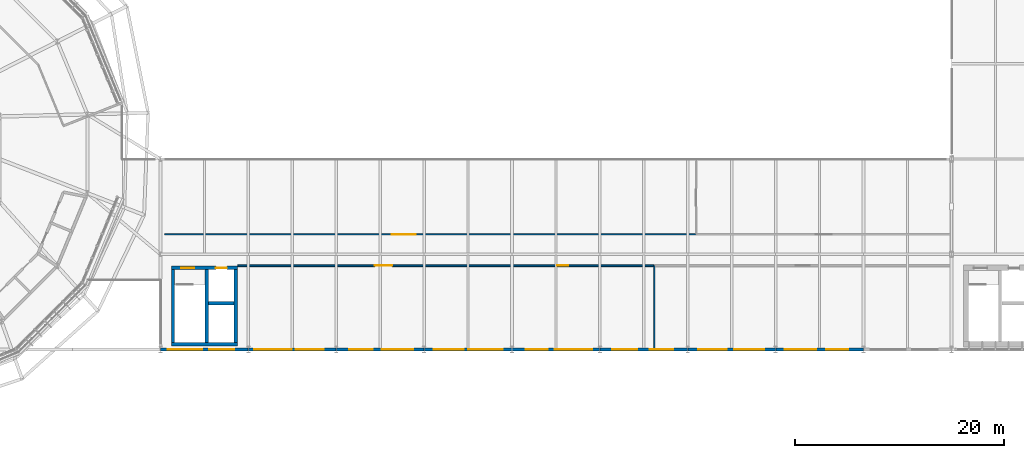
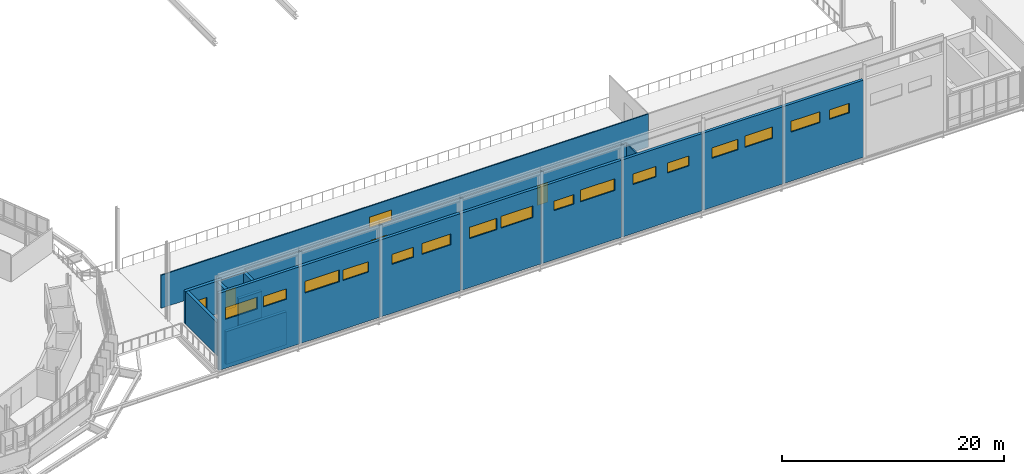
# One storey, part 50 of 61: 17 walls, 16 windows, 5 doors, 21 openings.
"""IFC4 building model written with IfcOpenShell, lengths in metres."""

from ifc_helpers import new_model, si_unit, derived_unit, direction, frame, frame_2d, origin, place, context, subcontext, project, spatial, rectangle, extrude, material, layer, layer_set, type_object, element, fill, save


model = new_model("IFC4")

# Units and contexts
model_context = context("Model", 3, precision=1e-05, world=origin(), true_north=direction((0.0, 1.0)))
body_context = subcontext(model_context, "Body", "Model", "MODEL_VIEW")
ifc_project = project(units=[si_unit("LENGTHUNIT", "METRE"), si_unit("AREAUNIT", "SQUARE_METRE"), si_unit("VOLUMEUNIT", "CUBIC_METRE"), si_unit("PLANEANGLEUNIT", "RADIAN"), si_unit("MASSUNIT", "GRAM", prefix="KILO"), derived_unit("THERMALTRANSMITTANCEUNIT", [(si_unit("MASSUNIT", "GRAM", prefix="KILO"), 1), (si_unit("TIMEUNIT", "SECOND"), -3), (si_unit("THERMODYNAMICTEMPERATUREUNIT", "KELVIN"), -1)])], contexts=[model_context])

# Site, building, storey
site_placement = place(None, origin())
site = spatial("IfcSite", under=ifc_project, at=site_placement, CompositionType="ELEMENT")
building_placement = place(site_placement, origin())
building = spatial("IfcBuilding", under=site, at=building_placement, Name="Makaiwela Harbour Ferry Terminal", CompositionType="ELEMENT")
storey_placement = place(building_placement, frame((0.0, 0.0, 13.800048828125)))
storey = spatial("IfcBuildingStorey", under=building, at=storey_placement, Name="L03", CompositionType="ELEMENT", Elevation=13.800048828125)

# Wall, openings, windows
ifc_material_1 = material(Name="Precast concrete f'c 40 MPa (6000 psi) with Hawaiian basalt rainscreen", Category="masonry")
ifc_layer_1 = layer(ifc_material_1, 0.300048828125)
ifc_layer_set_1 = layer_set([ifc_layer_1], Name="Precast concrete f'c 40 MPa (6000 psi) with Hawaiian basalt rainscreen")
wall_type_1 = type_object("IfcWallType", Name="ENV-WL-EXT300", PredefinedType="SOLIDWALL", material=ifc_layer_set_1)
wall_1_placement = place(storey_placement, frame((71.385009765625, 49.39990234375, 0.0), z_axis=(0.0, 0.0, 1.0), x_axis=(-1.0, 0.0, 0.0)))
wall_1 = element("IfcWall", 1, at=wall_1_placement, inside=storey, type_object=wall_type_1, Name="Exterior Wall EW-002", PredefinedType="SOLIDWALL", context=body_context, shape_type="SweptSolid", body=[
    extrude(rectangle(XDim=8.3701171875, YDim=0.300048828125, at=frame_2d((4.18505859375, 0.0))), origin(), (0.0, 0.0, 1.0), 8.5),
])
opening_1_placement = place(wall_1_placement, frame((1.31103515625, 0.0, 5.39990234375)))
opening_1 = element("IfcOpeningElement", 2, at=opening_1_placement, cuts=wall_1, Name="Opening SK-02", PredefinedType="OPENING", context=body_context, shape_type="SweptSolid", body=[
    extrude(rectangle(XDim=2.39990234375, YDim=1.14990234375, at=frame_2d((1.199951171875, 0.574951171875))), frame((0.0, 0.159912109375, 0.0), z_axis=(0.0, -1.0, 0.0), x_axis=(1.0, 0.0, 0.0)), (0.0, 0.0, 1.0), 0.320068359375),
])
opening_2_placement = place(wall_1_placement, frame((4.37646484375, 0.0, 5.39990234375)))
opening_2 = element("IfcOpeningElement", 3, at=opening_2_placement, cuts=wall_1, Name="Opening SK-05", PredefinedType="OPENING", context=body_context, shape_type="SweptSolid", body=[
    extrude(rectangle(XDim=3.300048828125, YDim=1.300048828125, at=frame_2d((1.64990234375, 0.64990234375))), frame((0.0, 0.159912109375, 0.0), z_axis=(0.0, -1.0, 0.0), x_axis=(1.0, 0.0, 0.0)), (0.0, 0.0, 1.0), 0.320068359375),
])
ifc_material_2 = material(Name="Laminated hurricane-impact low-E insulated glazing", Category="glass")
window_type_1 = type_object("IfcWindowType", Name="ENV-SKY-02", PartitioningType="SINGLE_PANEL", PredefinedType="SKYLIGHT", material=ifc_material_2)
window_1_placement = place(opening_1_placement, origin())
window_1 = element("IfcWindow", 4, at=window_1_placement, inside=storey, type_object=window_type_1, Name="Exterior Window SK-02", OverallHeight=1.14990234375, OverallWidth=2.39990234375, PartitioningType="SINGLE_PANEL", PredefinedType="SKYLIGHT", context=body_context, shape_type="SweptSolid", body=[
    extrude(rectangle(XDim=2.39990234375, YDim=1.14990234375, at=frame_2d((1.199951171875, 0.574951171875))), frame((0.0, 0.030029296875, 0.0), z_axis=(0.0, -1.0, 0.0), x_axis=(1.0, 0.0, 0.0)), (0.0, 0.0, 1.0), 0.06005859375),
])
fill(opening_1, window_1)
window_type_2 = type_object("IfcWindowType", Name="ENV-SKY-05", PartitioningType="SINGLE_PANEL", PredefinedType="SKYLIGHT", material=ifc_material_2)
window_2_placement = place(opening_2_placement, origin())
window_2 = element("IfcWindow", 5, at=window_2_placement, inside=storey, type_object=window_type_2, Name="Exterior Window SK-05", OverallHeight=1.300048828125, OverallWidth=3.300048828125, PartitioningType="SINGLE_PANEL", PredefinedType="SKYLIGHT", context=body_context, shape_type="SweptSolid", body=[
    extrude(rectangle(XDim=3.300048828125, YDim=1.300048828125, at=frame_2d((1.64990234375, 0.64990234375))), frame((0.0, 0.030029296875, 0.0), z_axis=(0.0, -1.0, 0.0), x_axis=(1.0, 0.0, 0.0)), (0.0, 0.0, 1.0), 0.06005859375),
])
fill(opening_2, window_2)

wall_2_placement = place(storey_placement, frame((79.784912109375, 49.39990234375, 0.0), z_axis=(0.0, 0.0, 1.0), x_axis=(-1.0, 0.0, 0.0)))
wall_2 = element("IfcWall", 6, at=wall_2_placement, inside=storey, type_object=wall_type_1, Name="Exterior Wall EW-005", PredefinedType="SOLIDWALL", context=body_context, shape_type="SweptSolid", body=[
    extrude(rectangle(XDim=8.369873046875, YDim=0.300048828125, at=frame_2d((4.18505859375, 0.0))), origin(), (0.0, 0.0, 1.0), 8.5),
])
opening_3_placement = place(wall_2_placement, frame((1.160888671875, 0.0, 5.39990234375)))
opening_3 = element("IfcOpeningElement", 7, at=opening_3_placement, cuts=wall_2, Name="Opening SK-03", PredefinedType="OPENING", context=body_context, shape_type="SweptSolid", body=[
    extrude(rectangle(XDim=2.699951171875, YDim=1.14990234375, at=frame_2d((1.35009765625, 0.574951171875))), frame((0.0, 0.159912109375, 0.0), z_axis=(0.0, -1.0, 0.0), x_axis=(1.0, 0.0, 0.0)), (0.0, 0.0, 1.0), 0.320068359375),
])
opening_4_placement = place(wall_2_placement, frame((4.226318359375, 0.0, 5.39990234375)))
opening_4 = element("IfcOpeningElement", 8, at=opening_4_placement, cuts=wall_2, Name="Opening SK-06", PredefinedType="OPENING", context=body_context, shape_type="SweptSolid", body=[
    extrude(rectangle(XDim=3.60009765625, YDim=1.300048828125, at=frame_2d((1.800048828125, 0.64990234375))), frame((0.0, 0.159912109375, 0.0), z_axis=(0.0, -1.0, 0.0), x_axis=(1.0, 0.0, 0.0)), (0.0, 0.0, 1.0), 0.320068359375),
])
window_type_3 = type_object("IfcWindowType", Name="ENV-SKY-03", PartitioningType="SINGLE_PANEL", PredefinedType="SKYLIGHT", material=ifc_material_2)
window_3_placement = place(opening_3_placement, origin())
window_3 = element("IfcWindow", 9, at=window_3_placement, inside=storey, type_object=window_type_3, Name="Exterior Window SK-03", OverallHeight=1.14990234375, OverallWidth=2.699951171875, PartitioningType="SINGLE_PANEL", PredefinedType="SKYLIGHT", context=body_context, shape_type="SweptSolid", body=[
    extrude(rectangle(XDim=2.699951171875, YDim=1.14990234375, at=frame_2d((1.35009765625, 0.574951171875))), frame((0.0, 0.030029296875, 0.0), z_axis=(0.0, -1.0, 0.0), x_axis=(1.0, 0.0, 0.0)), (0.0, 0.0, 1.0), 0.06005859375),
])
fill(opening_3, window_3)
window_type_4 = type_object("IfcWindowType", Name="ENV-SKY-06", PartitioningType="SINGLE_PANEL", PredefinedType="SKYLIGHT", material=ifc_material_2)
window_4_placement = place(opening_4_placement, origin())
window_4 = element("IfcWindow", 10, at=window_4_placement, inside=storey, type_object=window_type_4, Name="Exterior Window SK-06", OverallHeight=1.300048828125, OverallWidth=3.60009765625, PartitioningType="SINGLE_PANEL", PredefinedType="SKYLIGHT", context=body_context, shape_type="SweptSolid", body=[
    extrude(rectangle(XDim=3.60009765625, YDim=1.300048828125, at=frame_2d((1.800048828125, 0.64990234375))), frame((0.0, 0.030029296875, 0.0), z_axis=(0.0, -1.0, 0.0), x_axis=(1.0, 0.0, 0.0)), (0.0, 0.0, 1.0), 0.06005859375),
])
fill(opening_4, window_4)

wall_3_placement = place(storey_placement, frame((88.18505859375, 49.39990234375, 0.0), z_axis=(0.0, 0.0, 1.0), x_axis=(-1.0, 0.0, 0.0)))
wall_3 = element("IfcWall", 11, at=wall_3_placement, inside=storey, type_object=wall_type_1, Name="Exterior Wall EW-006", PredefinedType="SOLIDWALL", context=body_context, shape_type="SweptSolid", body=[
    extrude(rectangle(XDim=8.3701171875, YDim=0.300048828125, at=frame_2d((4.18505859375, 0.0))), origin(), (0.0, 0.0, 1.0), 8.5),
])
opening_5_placement = place(wall_3_placement, frame((1.010986328125, 0.0, 5.39990234375)))
opening_5 = element("IfcOpeningElement", 12, at=opening_5_placement, cuts=wall_3, Name="Opening SK-04", PredefinedType="OPENING", context=body_context, shape_type="SweptSolid", body=[
    extrude(rectangle(XDim=3.0, YDim=1.199951171875, at=frame_2d((1.5, 0.60009765625))), frame((0.0, 0.159912109375, 0.0), z_axis=(0.0, -1.0, 0.0), x_axis=(1.0, 0.0, 0.0)), (0.0, 0.0, 1.0), 0.320068359375),
])
opening_6_placement = place(wall_3_placement, frame((4.9013671875, 0.0, 5.39990234375)))
opening_6 = element("IfcOpeningElement", 13, at=opening_6_placement, cuts=wall_3, Name="Opening SK-07", PredefinedType="OPENING", context=body_context, shape_type="SweptSolid", body=[
    extrude(rectangle(XDim=2.25, YDim=1.10009765625, at=frame_2d((1.125, 0.550048828125))), frame((0.0, 0.159912109375, 0.0), z_axis=(0.0, -1.0, 0.0), x_axis=(1.0, 0.0, 0.0)), (0.0, 0.0, 1.0), 0.320068359375),
])
window_type_5 = type_object("IfcWindowType", Name="ENV-SKY-04", PartitioningType="SINGLE_PANEL", PredefinedType="SKYLIGHT", material=ifc_material_2)
window_5_placement = place(opening_5_placement, origin())
window_5 = element("IfcWindow", 14, at=window_5_placement, inside=storey, type_object=window_type_5, Name="Exterior Window SK-04", OverallHeight=1.199951171875, OverallWidth=3.0, PartitioningType="SINGLE_PANEL", PredefinedType="SKYLIGHT", context=body_context, shape_type="SweptSolid", body=[
    extrude(rectangle(XDim=3.0, YDim=1.199951171875, at=frame_2d((1.5, 0.60009765625))), frame((0.0, 0.030029296875, 0.0), z_axis=(0.0, -1.0, 0.0), x_axis=(1.0, 0.0, 0.0)), (0.0, 0.0, 1.0), 0.06005859375),
])
fill(opening_5, window_5)
window_type_6 = type_object("IfcWindowType", Name="ENV-SKY-07", PartitioningType="SINGLE_PANEL", PredefinedType="SKYLIGHT", material=ifc_material_2)
window_6_placement = place(opening_6_placement, origin())
window_6 = element("IfcWindow", 15, at=window_6_placement, inside=storey, type_object=window_type_6, Name="Exterior Window SK-07", OverallHeight=1.10009765625, OverallWidth=2.25, PartitioningType="SINGLE_PANEL", PredefinedType="SKYLIGHT", context=body_context, shape_type="SweptSolid", body=[
    extrude(rectangle(XDim=2.25, YDim=1.10009765625, at=frame_2d((1.125, 0.550048828125))), frame((0.0, 0.030029296875, 0.0), z_axis=(0.0, -1.0, 0.0), x_axis=(1.0, 0.0, 0.0)), (0.0, 0.0, 1.0), 0.06005859375),
])
fill(opening_6, window_6)

wall_4_placement = place(storey_placement, frame((96.5849609375, 49.39990234375, 0.0), z_axis=(0.0, 0.0, 1.0), x_axis=(-1.0, 0.0, 0.0)))
wall_4 = element("IfcWall", 16, at=wall_4_placement, inside=storey, type_object=wall_type_1, Name="Exterior Wall EW-008", PredefinedType="SOLIDWALL", context=body_context, shape_type="SweptSolid", body=[
    extrude(rectangle(XDim=8.369873046875, YDim=0.300048828125, at=frame_2d((4.18505859375, 0.0))), origin(), (0.0, 0.0, 1.0), 8.5),
])
opening_7_placement = place(wall_4_placement, frame((0.861083984375, 0.0, 5.39990234375)))
opening_7 = element("IfcOpeningElement", 17, at=opening_7_placement, cuts=wall_4, Name="Opening SK-05", PredefinedType="OPENING", context=body_context, shape_type="SweptSolid", body=[
    extrude(rectangle(XDim=3.300048828125, YDim=1.300048828125, at=frame_2d((1.64990234375, 0.64990234375))), frame((0.0, 0.159912109375, 0.0), z_axis=(0.0, -1.0, 0.0), x_axis=(1.0, 0.0, 0.0)), (0.0, 0.0, 1.0), 0.320068359375),
])
opening_8_placement = place(wall_4_placement, frame((4.601318359375, 0.0, 5.39990234375)))
opening_8 = element("IfcOpeningElement", 18, at=opening_8_placement, cuts=wall_4, Name="Opening SK-08", PredefinedType="OPENING", context=body_context, shape_type="SweptSolid", body=[
    extrude(rectangle(XDim=2.85009765625, YDim=1.25, at=frame_2d((1.425048828125, 0.625))), frame((0.0, 0.159912109375, 0.0), z_axis=(0.0, -1.0, 0.0), x_axis=(1.0, 0.0, 0.0)), (0.0, 0.0, 1.0), 0.320068359375),
])
window_7_placement = place(opening_7_placement, origin())
window_7 = element("IfcWindow", 19, at=window_7_placement, inside=storey, type_object=window_type_2, Name="Exterior Window SK-05", OverallHeight=1.300048828125, OverallWidth=3.300048828125, PartitioningType="SINGLE_PANEL", PredefinedType="SKYLIGHT", context=body_context, shape_type="SweptSolid", body=[
    extrude(rectangle(XDim=3.300048828125, YDim=1.300048828125, at=frame_2d((1.64990234375, 0.64990234375))), frame((0.0, 0.030029296875, 0.0), z_axis=(0.0, -1.0, 0.0), x_axis=(1.0, 0.0, 0.0)), (0.0, 0.0, 1.0), 0.06005859375),
])
fill(opening_7, window_7)
window_type_7 = type_object("IfcWindowType", Name="ENV-SKY-08", PartitioningType="SINGLE_PANEL", PredefinedType="SKYLIGHT", material=ifc_material_2)
window_8_placement = place(opening_8_placement, origin())
window_8 = element("IfcWindow", 20, at=window_8_placement, inside=storey, type_object=window_type_7, Name="Exterior Window SK-08", OverallHeight=1.25, OverallWidth=2.85009765625, PartitioningType="SINGLE_PANEL", PredefinedType="SKYLIGHT", context=body_context, shape_type="SweptSolid", body=[
    extrude(rectangle(XDim=2.85009765625, YDim=1.25, at=frame_2d((1.425048828125, 0.625))), frame((0.0, 0.030029296875, 0.0), z_axis=(0.0, -1.0, 0.0), x_axis=(1.0, 0.0, 0.0)), (0.0, 0.0, 1.0), 0.06005859375),
])
fill(opening_8, window_8)

wall_5_placement = place(storey_placement, frame((104.985107421875, 49.39990234375, 0.0), z_axis=(0.0, 0.0, 1.0), x_axis=(-1.0, 0.0, 0.0)))
wall_5 = element("IfcWall", 21, at=wall_5_placement, inside=storey, type_object=wall_type_1, Name="Exterior Wall EW-010", PredefinedType="SOLIDWALL", context=body_context, shape_type="SweptSolid", body=[
    extrude(rectangle(XDim=8.3701171875, YDim=0.300048828125, at=frame_2d((4.18505859375, 0.0))), origin(), (0.0, 0.0, 1.0), 8.5),
])
opening_9_placement = place(wall_5_placement, frame((0.7109375, 0.0, 5.39990234375)))
opening_9 = element("IfcOpeningElement", 22, at=opening_9_placement, cuts=wall_5, Name="Opening SK-06", PredefinedType="OPENING", context=body_context, shape_type="SweptSolid", body=[
    extrude(rectangle(XDim=3.60009765625, YDim=1.300048828125, at=frame_2d((1.800048828125, 0.64990234375))), frame((0.0, 0.159912109375, 0.0), z_axis=(0.0, -1.0, 0.0), x_axis=(1.0, 0.0, 0.0)), (0.0, 0.0, 1.0), 0.320068359375),
])
opening_10_placement = place(wall_5_placement, frame((4.976318359375, 0.0, 5.39990234375)))
opening_10 = element("IfcOpeningElement", 23, at=opening_10_placement, cuts=wall_5, Name="Opening SK-01", PredefinedType="OPENING", context=body_context, shape_type="SweptSolid", body=[
    extrude(rectangle(XDim=2.10009765625, YDim=1.050048828125, at=frame_2d((1.050048828125, 0.52490234375))), frame((0.0, 0.159912109375, 0.0), z_axis=(0.0, -1.0, 0.0), x_axis=(1.0, 0.0, 0.0)), (0.0, 0.0, 1.0), 0.320068359375),
])
window_type_8 = type_object("IfcWindowType", Name="ENV-SKY-01", PartitioningType="SINGLE_PANEL", PredefinedType="SKYLIGHT", material=ifc_material_2)
window_9_placement = place(opening_10_placement, origin())
window_9 = element("IfcWindow", 24, at=window_9_placement, inside=storey, type_object=window_type_8, Name="Exterior Window SK-01", OverallHeight=1.050048828125, OverallWidth=2.10009765625, PartitioningType="SINGLE_PANEL", PredefinedType="SKYLIGHT", context=body_context, shape_type="SweptSolid", body=[
    extrude(rectangle(XDim=2.10009765625, YDim=1.050048828125, at=frame_2d((1.050048828125, 0.52490234375))), frame((0.0, 0.030029296875, 0.0), z_axis=(0.0, -1.0, 0.0), x_axis=(1.0, 0.0, 0.0)), (0.0, 0.0, 1.0), 0.06005859375),
])
fill(opening_10, window_9)
window_10_placement = place(opening_9_placement, origin())
window_10 = element("IfcWindow", 25, at=window_10_placement, inside=storey, type_object=window_type_4, Name="Exterior Window SK-06", OverallHeight=1.300048828125, OverallWidth=3.60009765625, PartitioningType="SINGLE_PANEL", PredefinedType="SKYLIGHT", context=body_context, shape_type="SweptSolid", body=[
    extrude(rectangle(XDim=3.60009765625, YDim=1.300048828125, at=frame_2d((1.800048828125, 0.64990234375))), frame((0.0, 0.030029296875, 0.0), z_axis=(0.0, -1.0, 0.0), x_axis=(1.0, 0.0, 0.0)), (0.0, 0.0, 1.0), 0.06005859375),
])
fill(opening_9, window_10)

wall_6_placement = place(storey_placement, frame((113.385009765625, 49.39990234375, 0.0), z_axis=(0.0, 0.0, 1.0), x_axis=(-1.0, 0.0, 0.0)))
wall_6 = element("IfcWall", 26, at=wall_6_placement, inside=storey, type_object=wall_type_1, Name="Exterior Wall EW-012", PredefinedType="SOLIDWALL", context=body_context, shape_type="SweptSolid", body=[
    extrude(rectangle(XDim=8.3701171875, YDim=0.300048828125, at=frame_2d((4.18505859375, 0.0))), origin(), (0.0, 0.0, 1.0), 8.5),
])
opening_11_placement = place(wall_6_placement, frame((1.385986328125, 0.0, 5.39990234375)))
opening_11 = element("IfcOpeningElement", 27, at=opening_11_placement, cuts=wall_6, Name="Opening SK-07", PredefinedType="OPENING", context=body_context, shape_type="SweptSolid", body=[
    extrude(rectangle(XDim=2.25, YDim=1.10009765625, at=frame_2d((1.125, 0.550048828125))), frame((0.0, 0.159912109375, 0.0), z_axis=(0.0, -1.0, 0.0), x_axis=(1.0, 0.0, 0.0)), (0.0, 0.0, 1.0), 0.320068359375),
])
opening_12_placement = place(wall_6_placement, frame((4.826416015625, 0.0, 5.39990234375)))
opening_12 = element("IfcOpeningElement", 28, at=opening_12_placement, cuts=wall_6, Name="Opening SK-02", PredefinedType="OPENING", context=body_context, shape_type="SweptSolid", body=[
    extrude(rectangle(XDim=2.39990234375, YDim=1.14990234375, at=frame_2d((1.199951171875, 0.574951171875))), frame((0.0, 0.159912109375, 0.0), z_axis=(0.0, -1.0, 0.0), x_axis=(1.0, 0.0, 0.0)), (0.0, 0.0, 1.0), 0.320068359375),
])
window_11_placement = place(opening_12_placement, origin())
window_11 = element("IfcWindow", 29, at=window_11_placement, inside=storey, type_object=window_type_1, Name="Exterior Window SK-02", OverallHeight=1.14990234375, OverallWidth=2.39990234375, PartitioningType="SINGLE_PANEL", PredefinedType="SKYLIGHT", context=body_context, shape_type="SweptSolid", body=[
    extrude(rectangle(XDim=2.39990234375, YDim=1.14990234375, at=frame_2d((1.199951171875, 0.574951171875))), frame((0.0, 0.030029296875, 0.0), z_axis=(0.0, -1.0, 0.0), x_axis=(1.0, 0.0, 0.0)), (0.0, 0.0, 1.0), 0.06005859375),
])
fill(opening_12, window_11)
window_12_placement = place(opening_11_placement, origin())
window_12 = element("IfcWindow", 30, at=window_12_placement, inside=storey, type_object=window_type_6, Name="Exterior Window SK-07", OverallHeight=1.10009765625, OverallWidth=2.25, PartitioningType="SINGLE_PANEL", PredefinedType="SKYLIGHT", context=body_context, shape_type="SweptSolid", body=[
    extrude(rectangle(XDim=2.25, YDim=1.10009765625, at=frame_2d((1.125, 0.550048828125))), frame((0.0, 0.030029296875, 0.0), z_axis=(0.0, -1.0, 0.0), x_axis=(1.0, 0.0, 0.0)), (0.0, 0.0, 1.0), 0.06005859375),
])
fill(opening_11, window_12)

wall_7_placement = place(storey_placement, frame((121.784912109375, 49.39990234375, 0.0), z_axis=(0.0, 0.0, 1.0), x_axis=(-1.0, 0.0, 0.0)))
wall_7 = element("IfcWall", 31, at=wall_7_placement, inside=storey, type_object=wall_type_1, Name="Exterior Wall EW-014", PredefinedType="SOLIDWALL", context=body_context, shape_type="SweptSolid", body=[
    extrude(rectangle(XDim=8.369873046875, YDim=0.300048828125, at=frame_2d((4.18505859375, 0.0))), origin(), (0.0, 0.0, 1.0), 8.5),
])
opening_13_placement = place(wall_7_placement, frame((1.0859375, 0.0, 5.39990234375)))
opening_13 = element("IfcOpeningElement", 32, at=opening_13_placement, cuts=wall_7, Name="Opening SK-08", PredefinedType="OPENING", context=body_context, shape_type="SweptSolid", body=[
    extrude(rectangle(XDim=2.85009765625, YDim=1.25, at=frame_2d((1.425048828125, 0.625))), frame((0.0, 0.159912109375, 0.0), z_axis=(0.0, -1.0, 0.0), x_axis=(1.0, 0.0, 0.0)), (0.0, 0.0, 1.0), 0.320068359375),
])
opening_14_placement = place(wall_7_placement, frame((4.676513671875, 0.0, 5.39990234375)))
opening_14 = element("IfcOpeningElement", 33, at=opening_14_placement, cuts=wall_7, Name="Opening SK-03", PredefinedType="OPENING", context=body_context, shape_type="SweptSolid", body=[
    extrude(rectangle(XDim=2.699951171875, YDim=1.14990234375, at=frame_2d((1.35009765625, 0.574951171875))), frame((0.0, 0.159912109375, 0.0), z_axis=(0.0, -1.0, 0.0), x_axis=(1.0, 0.0, 0.0)), (0.0, 0.0, 1.0), 0.320068359375),
])
window_13_placement = place(opening_14_placement, origin())
window_13 = element("IfcWindow", 34, at=window_13_placement, inside=storey, type_object=window_type_3, Name="Exterior Window SK-03", OverallHeight=1.14990234375, OverallWidth=2.699951171875, PartitioningType="SINGLE_PANEL", PredefinedType="SKYLIGHT", context=body_context, shape_type="SweptSolid", body=[
    extrude(rectangle(XDim=2.699951171875, YDim=1.14990234375, at=frame_2d((1.35009765625, 0.574951171875))), frame((0.0, 0.030029296875, 0.0), z_axis=(0.0, -1.0, 0.0), x_axis=(1.0, 0.0, 0.0)), (0.0, 0.0, 1.0), 0.06005859375),
])
fill(opening_14, window_13)
window_14_placement = place(opening_13_placement, origin())
window_14 = element("IfcWindow", 35, at=window_14_placement, inside=storey, type_object=window_type_7, Name="Exterior Window SK-08", OverallHeight=1.25, OverallWidth=2.85009765625, PartitioningType="SINGLE_PANEL", PredefinedType="SKYLIGHT", context=body_context, shape_type="SweptSolid", body=[
    extrude(rectangle(XDim=2.85009765625, YDim=1.25, at=frame_2d((1.425048828125, 0.625))), frame((0.0, 0.030029296875, 0.0), z_axis=(0.0, -1.0, 0.0), x_axis=(1.0, 0.0, 0.0)), (0.0, 0.0, 1.0), 0.06005859375),
])
fill(opening_13, window_14)

wall_8_placement = place(storey_placement, frame((130.18505859375, 49.39990234375, 0.0), z_axis=(0.0, 0.0, 1.0), x_axis=(-1.0, 0.0, 0.0)))
wall_8 = element("IfcWall", 36, at=wall_8_placement, inside=storey, type_object=wall_type_1, Name="Exterior Wall EW-015", PredefinedType="SOLIDWALL", context=body_context, shape_type="SweptSolid", body=[
    extrude(rectangle(XDim=8.3701171875, YDim=0.300048828125, at=frame_2d((4.18505859375, 0.0))), origin(), (0.0, 0.0, 1.0), 8.5),
])
opening_15_placement = place(wall_8_placement, frame((1.4609375, 0.0, 5.39990234375)))
opening_15 = element("IfcOpeningElement", 37, at=opening_15_placement, cuts=wall_8, Name="Opening SK-01", PredefinedType="OPENING", context=body_context, shape_type="SweptSolid", body=[
    extrude(rectangle(XDim=2.10009765625, YDim=1.050048828125, at=frame_2d((1.050048828125, 0.52490234375))), frame((0.0, 0.159912109375, 0.0), z_axis=(0.0, -1.0, 0.0), x_axis=(1.0, 0.0, 0.0)), (0.0, 0.0, 1.0), 0.320068359375),
])
opening_16_placement = place(wall_8_placement, frame((4.5263671875, 0.0, 5.39990234375)))
opening_16 = element("IfcOpeningElement", 38, at=opening_16_placement, cuts=wall_8, Name="Opening SK-04", PredefinedType="OPENING", context=body_context, shape_type="SweptSolid", body=[
    extrude(rectangle(XDim=3.0, YDim=1.199951171875, at=frame_2d((1.5, 0.60009765625))), frame((0.0, 0.159912109375, 0.0), z_axis=(0.0, -1.0, 0.0), x_axis=(1.0, 0.0, 0.0)), (0.0, 0.0, 1.0), 0.320068359375),
])
window_15_placement = place(opening_15_placement, origin())
window_15 = element("IfcWindow", 39, at=window_15_placement, inside=storey, type_object=window_type_8, Name="Exterior Window SK-01", OverallHeight=1.050048828125, OverallWidth=2.10009765625, PartitioningType="SINGLE_PANEL", PredefinedType="SKYLIGHT", context=body_context, shape_type="SweptSolid", body=[
    extrude(rectangle(XDim=2.10009765625, YDim=1.050048828125, at=frame_2d((1.050048828125, 0.52490234375))), frame((0.0, 0.030029296875, 0.0), z_axis=(0.0, -1.0, 0.0), x_axis=(1.0, 0.0, 0.0)), (0.0, 0.0, 1.0), 0.06005859375),
])
fill(opening_15, window_15)
window_16_placement = place(opening_16_placement, origin())
window_16 = element("IfcWindow", 40, at=window_16_placement, inside=storey, type_object=window_type_5, Name="Exterior Window SK-04", OverallHeight=1.199951171875, OverallWidth=3.0, PartitioningType="SINGLE_PANEL", PredefinedType="SKYLIGHT", context=body_context, shape_type="SweptSolid", body=[
    extrude(rectangle(XDim=3.0, YDim=1.199951171875, at=frame_2d((1.5, 0.60009765625))), frame((0.0, 0.030029296875, 0.0), z_axis=(0.0, -1.0, 0.0), x_axis=(1.0, 0.0, 0.0)), (0.0, 0.0, 1.0), 0.06005859375),
])
fill(opening_16, window_16)

# Wall
ifc_material_3 = material(Name="Moisture-resistant acoustic gypsum partition", Category="gypsum")
ifc_layer_2 = layer(ifc_material_3, 0.1201171875)
ifc_layer_set_2 = layer_set([ifc_layer_2], Name="Moisture-resistant acoustic gypsum partition")
wall_type_2 = type_object("IfcWallType", Name="INT-WL-PRT120", PredefinedType="PARTITIONING", material=ifc_layer_set_2)
wall_9_placement = place(storey_placement, frame((110.199951171875, 49.419921875, 0.0), z_axis=(0.0, 0.0, 1.0), x_axis=(0.0, 1.0, 0.0)))
element("IfcWall", 41, at=wall_9_placement, inside=storey, type_object=wall_type_2, Name="Interior Wall IW-0561", PredefinedType="PARTITIONING", context=body_context, shape_type="SweptSolid", body=[
    extrude(rectangle(XDim=7.97998046875, YDim=0.1201171875, at=frame_2d((3.989990234375, 0.0))), origin(), (0.0, 0.0, 1.0), 3.639892578125),
])

# Wall, opening, door
wall_10_placement = place(storey_placement, frame((63.39990234375, 60.39990234375, 0.0), z_axis=(0.0, 0.0, 1.0), x_axis=(1.0, 0.0, 0.0)))
wall_10 = element("IfcWall", 42, at=wall_10_placement, inside=storey, type_object=wall_type_2, Name="Interior Wall IW-0562", PredefinedType="PARTITIONING", context=body_context, shape_type="SweptSolid", body=[
    extrude(rectangle(XDim=50.800048828125, YDim=0.1201171875, at=frame_2d((25.39990234375, 0.0))), origin(), (0.0, 0.0, 1.0), 3.639892578125),
])
opening_17_placement = place(wall_10_placement, frame((21.7099609375, 0.0, 0.0)))
opening_17 = element("IfcOpeningElement", 43, at=opening_17_placement, cuts=wall_10, Name="Opening D-23", PredefinedType="OPENING", context=body_context, shape_type="SweptSolid", body=[
    extrude(rectangle(XDim=2.300048828125, YDim=2.449951171875, at=frame_2d((1.14990234375, 1.22509765625))), frame((0.0, 0.070068359375, 0.0), z_axis=(0.0, -1.0, 0.0), x_axis=(1.0, 0.0, 0.0)), (0.0, 0.0, 1.0), 0.14013671875),
])
ifc_material_4 = material(Name="Solid-core marine hardwood and painted steel frame", Category="steel")
door_type_1 = type_object("IfcDoorType", Name="INT-DR-CON230", OperationType="NOTDEFINED", PredefinedType="DOOR", material=ifc_material_4)
door_1_placement = place(opening_17_placement, frame((2.300048828125, 0.0, 0.0), z_axis=(0.0, 0.0, 1.0), x_axis=(-1.0, 0.0, 0.0)))
door_1 = element("IfcDoor", 44, at=door_1_placement, inside=storey, type_object=door_type_1, Name="Door D-23", OperationType="DOUBLE_DOOR_SINGLE_SWING", OverallHeight=2.449951171875, OverallWidth=2.300048828125, PredefinedType="DOOR", context=body_context, shape_type="SweptSolid", body=[
    extrude(rectangle(XDim=2.300048828125, YDim=2.449951171875, at=frame_2d((1.14990234375, 1.22509765625))), frame((0.0, 0.02490234375, 0.0), z_axis=(0.0, -1.0, 0.0), x_axis=(1.0, 0.0, 0.0)), (0.0, 0.0, 1.0), 0.050048828125),
])
fill(opening_17, door_1)

# Wall, openings, doors
ifc_layer_3 = layer(ifc_material_3, 0.14990234375)
ifc_layer_set_3 = layer_set([ifc_layer_3], Name="Moisture-resistant acoustic gypsum partition")
wall_type_3 = type_object("IfcWallType", Name="INT-WL-PRT150", PredefinedType="PARTITIONING", material=ifc_layer_set_3)
wall_11_placement = place(storey_placement, frame((70.39990234375, 57.39990234375, 0.0), z_axis=(0.0, 0.0, 1.0), x_axis=(1.0, 0.0, 0.0)))
wall_11 = element("IfcWall", 45, at=wall_11_placement, inside=storey, type_object=wall_type_3, Name="Interior Wall IW-0559", PredefinedType="PARTITIONING", context=body_context, shape_type="SweptSolid", body=[
    extrude(rectangle(XDim=39.800048828125, YDim=0.14990234375, at=frame_2d((19.89990234375, 0.0))), origin(), (0.0, 0.0, 1.0), 3.639892578125),
])
opening_18_placement = place(wall_11_placement, frame((13.10498046875, 0.0, 0.0)))
opening_18 = element("IfcOpeningElement", 46, at=opening_18_placement, cuts=wall_11, Name="Opening D-17", PredefinedType="OPENING", context=body_context, shape_type="SweptSolid", body=[
    extrude(rectangle(XDim=1.64990234375, YDim=2.300048828125, at=frame_2d((0.824951171875, 1.14990234375))), frame((0.0, 0.0849609375, 0.0), z_axis=(0.0, -1.0, 0.0), x_axis=(1.0, 0.0, 0.0)), (0.0, 0.0, 1.0), 0.169921875),
])
opening_19_placement = place(wall_11_placement, frame((30.50390625, 0.0, 0.0)))
opening_19 = element("IfcOpeningElement", 47, at=opening_19_placement, cuts=wall_11, Name="Opening D-14", PredefinedType="OPENING", context=body_context, shape_type="SweptSolid", body=[
    extrude(rectangle(XDim=1.080078125, YDim=2.199951171875, at=frame_2d((0.5400390625, 1.10009765625))), frame((0.0, 0.0849609375, 0.0), z_axis=(0.0, -1.0, 0.0), x_axis=(1.0, 0.0, 0.0)), (0.0, 0.0, 1.0), 0.169921875),
])
door_type_2 = type_object("IfcDoorType", Name="INT-DR-DIN165", OperationType="NOTDEFINED", PredefinedType="DOOR", material=ifc_material_4)
door_2_placement = place(opening_18_placement, origin())
door_2 = element("IfcDoor", 48, at=door_2_placement, inside=storey, type_object=door_type_2, Name="Door D-17", OperationType="DOUBLE_DOOR_SINGLE_SWING", OverallHeight=2.300048828125, OverallWidth=1.64990234375, PredefinedType="DOOR", context=body_context, shape_type="SweptSolid", body=[
    extrude(rectangle(XDim=1.64990234375, YDim=2.300048828125, at=frame_2d((0.824951171875, 1.14990234375))), frame((0.0, 0.02490234375, 0.0), z_axis=(0.0, -1.0, 0.0), x_axis=(1.0, 0.0, 0.0)), (0.0, 0.0, 1.0), 0.050048828125),
])
fill(opening_18, door_2)
door_type_3 = type_object("IfcDoorType", Name="INT-DR-OFF108", OperationType="NOTDEFINED", PredefinedType="DOOR", material=ifc_material_4)
door_3_placement = place(opening_19_placement, origin())
door_3 = element("IfcDoor", 49, at=door_3_placement, inside=storey, type_object=door_type_3, Name="Door D-14", OperationType="SINGLE_SWING_LEFT", OverallHeight=2.199951171875, OverallWidth=1.080078125, PredefinedType="DOOR", context=body_context, shape_type="SweptSolid", body=[
    extrude(rectangle(XDim=1.080078125, YDim=2.199951171875, at=frame_2d((0.5400390625, 1.10009765625))), frame((0.0, 0.02490234375, 0.0), z_axis=(0.0, -1.0, 0.0), x_axis=(1.0, 0.0, 0.0)), (0.0, 0.0, 1.0), 0.050048828125),
])
fill(opening_19, door_3)

# Wall
ifc_material_5 = material(Name="Concrete f'c 45 MPa (6500 psi)", Category="concrete")
ifc_layer_4 = layer(ifc_material_5, 0.320068359375)
ifc_layer_set_4 = layer_set([ifc_layer_4], Name="Concrete f'c 45 MPa (6500 psi)")
wall_type_4 = type_object("IfcWallType", Name="INT-WL-SHR320", PredefinedType="SHEAR", material=ifc_layer_set_4)
wall_12_placement = place(storey_placement, frame((64.0400390625, 49.89990234375, 0.0), z_axis=(0.0, 0.0, 1.0), x_axis=(1.0, 0.0, 0.0)))
element("IfcWall", 50, at=wall_12_placement, inside=storey, type_object=wall_type_4, Name="Interior Wall IW-0184", PredefinedType="SHEAR", context=body_context, shape_type="SweptSolid", body=[
    extrude(rectangle(XDim=6.320068359375, YDim=0.320068359375, at=frame_2d((3.16015625, 0.0))), origin(), (0.0, 0.0, 1.0), 3.619873046875),
])

# Wall, openings, doors
wall_13_placement = place(storey_placement, frame((64.0400390625, 57.199951171875, 0.0), z_axis=(0.0, 0.0, 1.0), x_axis=(1.0, 0.0, 0.0)))
wall_13 = element("IfcWall", 51, at=wall_13_placement, inside=storey, type_object=wall_type_4, Name="Interior Wall IW-0185", PredefinedType="SHEAR", context=body_context, shape_type="SweptSolid", body=[
    extrude(rectangle(XDim=6.320068359375, YDim=0.320068359375, at=frame_2d((3.16015625, 0.0))), origin(), (0.0, 0.0, 1.0), 3.619873046875),
])
opening_20_placement = place(wall_13_placement, frame((0.955078125, 0.0, 0.0)))
opening_20 = element("IfcOpeningElement", 52, at=opening_20_placement, cuts=wall_13, Name="Opening D-02", PredefinedType="OPENING", context=body_context, shape_type="SweptSolid", body=[
    extrude(rectangle(XDim=1.25, YDim=2.199951171875, at=frame_2d((0.625, 1.10009765625))), frame((0.0, 0.169921875, 0.0), z_axis=(0.0, -1.0, 0.0), x_axis=(1.0, 0.0, 0.0)), (0.0, 0.0, 1.0), 0.340087890625),
])
opening_21_placement = place(wall_13_placement, frame((4.2548828125, 0.0, 0.0)))
opening_21 = element("IfcOpeningElement", 53, at=opening_21_placement, cuts=wall_13, Name="Opening LD-01", PredefinedType="OPENING", context=body_context, shape_type="SweptSolid", body=[
    extrude(rectangle(XDim=1.050048828125, YDim=2.14990234375, at=frame_2d((0.52490234375, 1.074951171875))), frame((0.0, 0.169921875, 0.0), z_axis=(0.0, -1.0, 0.0), x_axis=(1.0, 0.0, 0.0)), (0.0, 0.0, 1.0), 0.340087890625),
])
ifc_material_6 = material(Name="Marine grade 316L brushed stainless steel", Category="steel")
door_type_4 = type_object("IfcDoorType", Name="INT-DR-LD105", OperationType="NOTDEFINED", PredefinedType="DOOR", material=ifc_material_6)
door_4_placement = place(opening_21_placement, origin())
door_4 = element("IfcDoor", 54, at=door_4_placement, inside=storey, type_object=door_type_4, Name="Door LD-01", OperationType="DOUBLE_DOOR_SLIDING", OverallHeight=2.14990234375, OverallWidth=1.050048828125, PredefinedType="DOOR", context=body_context, shape_type="SweptSolid", body=[
    extrude(rectangle(XDim=1.050048828125, YDim=2.14990234375, at=frame_2d((0.52490234375, 1.074951171875))), frame((0.0, 0.02490234375, 0.0), z_axis=(0.0, -1.0, 0.0), x_axis=(1.0, 0.0, 0.0)), (0.0, 0.0, 1.0), 0.050048828125),
])
fill(opening_21, door_4)
ifc_material_7 = material(Name="Insulated galvanised fire-rated steel leaf and frame", Category="steel")
door_type_5 = type_object("IfcDoorType", Name="INT-DR-ST125", OperationType="NOTDEFINED", PredefinedType="DOOR", material=ifc_material_7)
door_5_placement = place(opening_20_placement, origin())
door_5 = element("IfcDoor", 55, at=door_5_placement, inside=storey, type_object=door_type_5, Name="Door D-02", OperationType="SINGLE_SWING_LEFT", OverallHeight=2.199951171875, OverallWidth=1.25, PredefinedType="DOOR", context=body_context, shape_type="SweptSolid", body=[
    extrude(rectangle(XDim=1.25, YDim=2.199951171875, at=frame_2d((0.625, 1.10009765625))), frame((0.0, 0.02490234375, 0.0), z_axis=(0.0, -1.0, 0.0), x_axis=(1.0, 0.0, 0.0)), (0.0, 0.0, 1.0), 0.050048828125),
])
fill(opening_20, door_5)

# Walls
for number, where, z_axis, x_axis, name in (
    (56, (64.199951171875, 50.070068359375, 0.0), (0.0, 0.0, 1.0), (0.0, 1.0, 0.0), "Interior Wall IW-0186"),
    (57, (70.199951171875, 50.070068359375, 0.0), (0.0, 0.0, 1.0), (0.0, 1.0, 0.0), "Interior Wall IW-0187"),
    (58, (67.43994140625, 50.070068359375, 0.0), (0.0, 0.0, 1.0), (0.0, 1.0, 0.0), "Interior Wall IW-0188"),
):
    element("IfcWall", number, at=place(storey_placement, frame(where, z_axis=z_axis, x_axis=x_axis)), inside=storey, type_object=wall_type_4, Name=name, PredefinedType="SHEAR", context=body_context, shape_type="SweptSolid", body=[
        extrude(rectangle(XDim=6.9599609375, YDim=0.320068359375, at=frame_2d((3.47998046875, 0.0))), origin(), (0.0, 0.0, 1.0), 3.619873046875),
    ])
wall_14_placement = place(storey_placement, frame((67.60498046875, 53.800048828125, 0.0), z_axis=(0.0, 0.0, 1.0), x_axis=(1.0, 0.0, 0.0)))
element("IfcWall", 59, at=wall_14_placement, inside=storey, type_object=wall_type_4, Name="Interior Wall IW-0189", PredefinedType="SHEAR", context=body_context, shape_type="SweptSolid", body=[
    extrude(rectangle(XDim=2.429931640625, YDim=0.320068359375, at=frame_2d((1.21484375, 0.0))), origin(), (0.0, 0.0, 1.0), 3.619873046875),
])

save(model, "model.ifc")
